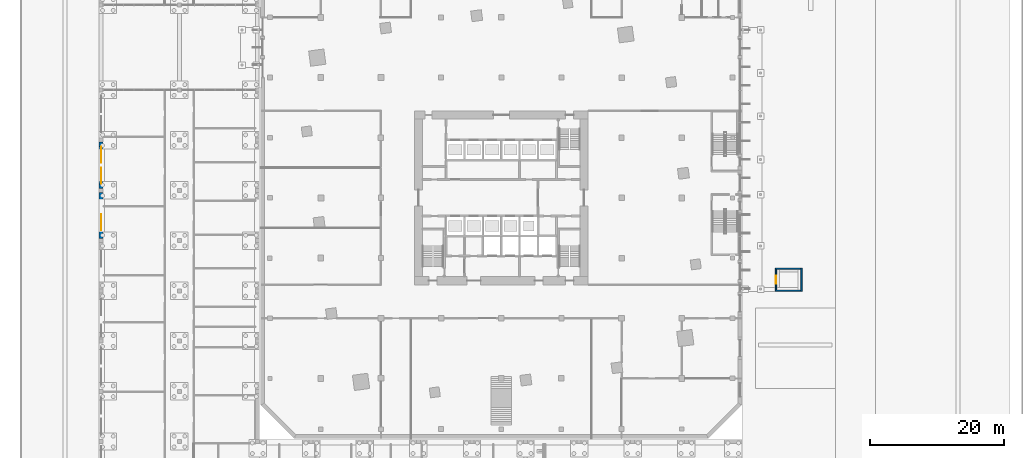
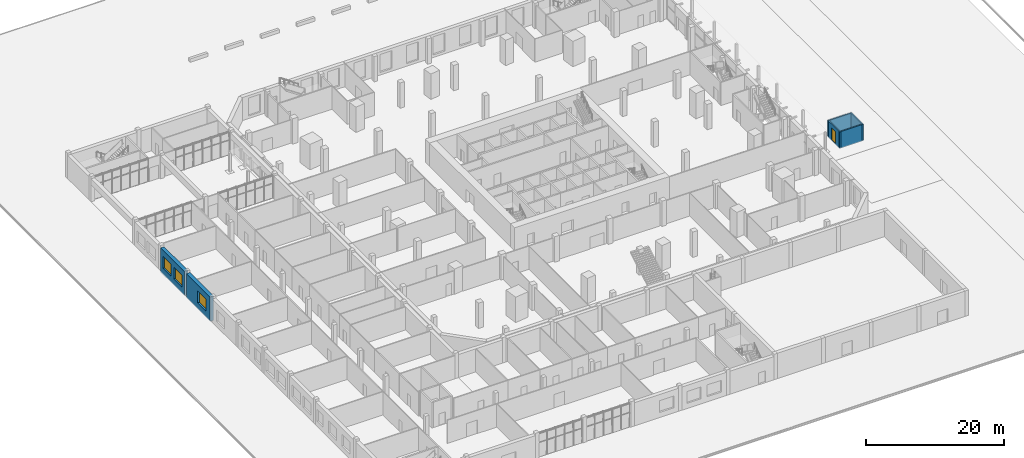
# One storey, part 28 of 42: 6 walls, 3 windows, 1 door, 4 openings.
"""IFC4 building model written with IfcOpenShell, lengths in metres."""

import ifcopenshell
import ifcopenshell.guid

model = None  # the IFC model being written
_history = None  # IfcOwnerHistory: only IFC2X3 demands one
_inside = {}  # id of a spatial element -> (the spatial element, [elements in it])
_under = {}  # id of a project, library or spatial element -> (it, [spatial elements below it])
_declared = {}  # id of a project -> (the project, [libraries it declares])
_typed = {}  # id of a type object -> (the type object, [elements of that type])
_made_of = {}  # id of a material, layer set ... -> (it, [elements and type objects made of it])


def new_model(schema):
    """Start an empty IFC model of exactly this schema.

    Asked for "IFC4X3", IfcOpenShell would pick the latest addendum, in which some entities
    have other attributes; the version numbers below select the first issue.
    IFC2X3 requires an IfcOwnerHistory on every rooted entity: one is made here for all.
    """
    global model, _history
    if schema == "IFC4X3":
        model = ifcopenshell.file(schema_version=(4, 3, 0, 0))
    else:
        model = ifcopenshell.file(schema=schema)
    _inside.clear()
    _under.clear()
    _declared.clear()
    _typed.clear()
    _made_of.clear()
    _history = None
    if model.schema == "IFC2X3":
        org = make("IfcOrganization", Name="unknown")
        user = make(
            "IfcPersonAndOrganization",
            ThePerson=make("IfcPerson", FamilyName="unknown"),
            TheOrganization=org,
        )
        app = make(
            "IfcApplication",
            ApplicationDeveloper=org,
            Version="unknown",
            ApplicationFullName="unknown",
            ApplicationIdentifier="unknown",
        )
        _history = make(
            "IfcOwnerHistory",
            OwningUser=user,
            OwningApplication=app,
            ChangeAction="ADDED",
            CreationDate=0,
        )
    return model


def make(cls, **values):
    """One entity of the class cls with the attributes given. An attribute that is None is left unset."""
    return model.create_entity(
        cls, **{name: value for name, value in values.items() if value is not None}
    )


def rooted(cls, **values):
    """An entity with a GlobalId (a new one), such as an element, a storey or a relation."""
    return make(cls, GlobalId=ifcopenshell.guid.new(), OwnerHistory=_history, **values)


def si_unit(unit_type, name, prefix=None):
    """IfcSIUnit, for example si_unit("LENGTHUNIT", "METRE", prefix="MILLI")."""
    return make("IfcSIUnit", UnitType=unit_type, Prefix=prefix, Name=name)


def assignment(units):
    """IfcUnitAssignment: the units of a project."""
    return None if units is None else make("IfcUnitAssignment", Units=units)


def point(xyz):
    """IfcCartesianPoint."""
    return None if xyz is None else make("IfcCartesianPoint", Coordinates=xyz)


def direction(xyz):
    """IfcDirection."""
    return None if xyz is None else make("IfcDirection", DirectionRatios=xyz)


def frame(location, z_axis=None, x_axis=None):
    """IfcAxis2Placement3D, a coordinate frame: its origin and axes. An axis left out is left unset."""
    return make(
        "IfcAxis2Placement3D",
        Location=point(location),
        Axis=direction(z_axis),
        RefDirection=direction(x_axis),
    )


def frame_2d(location, x_axis=None):
    """IfcAxis2Placement2D, a coordinate frame in the plane: its origin and x axis."""
    return make(
        "IfcAxis2Placement2D", Location=point(location), RefDirection=direction(x_axis)
    )


def origin():
    """The frame at (0, 0, 0) with its axes left unset."""
    return frame((0.0, 0.0, 0.0))


def place(relative_to, where):
    """IfcLocalPlacement: puts the frame where relative to a parent placement (None: the world)."""
    return make(
        "IfcLocalPlacement", PlacementRelTo=relative_to, RelativePlacement=where
    )


def context(
    kind, dimensions, precision=None, world=None, true_north=None, identifier=None
):
    """IfcGeometricRepresentationContext, for example the 3D "Model" context."""
    return make(
        "IfcGeometricRepresentationContext",
        ContextIdentifier=identifier,
        ContextType=kind,
        CoordinateSpaceDimension=dimensions,
        Precision=precision,
        WorldCoordinateSystem=world,
        TrueNorth=true_north,
    )


def subcontext(parent, identifier, kind, view, scale=None):
    """IfcGeometricRepresentationSubContext, for example "Body" below "Model"."""
    return make(
        "IfcGeometricRepresentationSubContext",
        ContextIdentifier=identifier,
        ContextType=kind,
        ParentContext=parent,
        TargetScale=scale,
        TargetView=view,
    )


def project(units=None, contexts=None):
    """IfcProject with its units and contexts."""
    return rooted(
        "IfcProject",
        Name="project",
        RepresentationContexts=contexts,
        UnitsInContext=assignment(units),
    )


def spatial(cls, under=None, at=None, **own):
    """A site, building, storey or space (cls), placed at a placement, below another one or the project."""
    s = rooted(cls, ObjectPlacement=at, **own)
    if under is not None:
        _under.setdefault(under.id(), (under, []))[1].append(s)
    return s


def profile(cls, at=None, kind="AREA", **sizes):
    """A parametric profile (cls). Its sizes go by their IFC names, for example OverallWidth=200.0."""
    return make(cls, ProfileType=kind, Position=at, **sizes)


def rectangle(**sizes):
    """IfcRectangleProfileDef."""
    return profile("IfcRectangleProfileDef", **sizes)


def extrude(swept, where, along, depth):
    """IfcExtrudedAreaSolid: the profile swept, set in the frame where, extruded along a direction by depth."""
    return make(
        "IfcExtrudedAreaSolid",
        SweptArea=swept,
        Position=where,
        ExtrudedDirection=direction(along),
        Depth=depth,
    )


def shape(context_of_items, identifier, shape_type, items):
    """IfcShapeRepresentation: the items that make up one representation, for example the "Body"."""
    return make(
        "IfcShapeRepresentation",
        ContextOfItems=context_of_items,
        RepresentationIdentifier=identifier,
        RepresentationType=shape_type,
        Items=items,
    )


def material(Name=None, Category=None):
    """IfcMaterial."""
    return make("IfcMaterial", Name=Name, Category=Category)


def layer(
    of_material, thickness, ventilated=None, Name=None, Category=None, Priority=None
):
    """IfcMaterialLayer: one layer of a wall or slab, of a material (None: an air gap)."""
    return make(
        "IfcMaterialLayer",
        Material=of_material,
        LayerThickness=thickness,
        IsVentilated=ventilated,
        Name=Name,
        Category=Category,
        Priority=Priority,
    )


def layer_set(layers, Name=None):
    """IfcMaterialLayerSet."""
    return make("IfcMaterialLayerSet", MaterialLayers=layers, LayerSetName=Name)


def made_of(thing, what):
    """Note that an element or type object is made of a material, layer set ...; save() writes the relation."""
    if what is not None:
        _made_of.setdefault(what.id(), (what, []))[1].append(thing)
    return thing


def type_object(cls, material=None, **own):
    """A type object (cls), such as IfcWallType, which elements share."""
    return made_of(rooted(cls, **own), material)


def element(
    cls,
    number,
    at=None,
    inside=None,
    cuts=None,
    type_object=None,
    material=None,
    context=None,
    identifier="Body",
    shape_type=None,
    held_by="IfcProductDefinitionShape",
    body=None,
    shapes=None,
    **own,
):
    """One element of the class cls, such as IfcWall. Its Tag is "e" and its number.

    at: its placement. inside: the storey or other place that contains it. cuts: it is an
    opening in that element (IfcRelVoidsElement). A single representation is given by context,
    identifier, shape_type and body (its items); several are given by shapes. held_by: the class
    of the entity that holds the representations. save() writes the other relations.
    """
    e = rooted(cls, Tag="e%d" % number, ObjectPlacement=at, **own)
    if body is not None:
        shapes = [shape(context, identifier, shape_type, body)]
    if shapes is not None:
        e.Representation = make(held_by, Representations=shapes)
    if inside is not None:
        _inside.setdefault(inside.id(), (inside, []))[1].append(e)
    if cuts is not None:
        rooted(
            "IfcRelVoidsElement", RelatingBuildingElement=cuts, RelatedOpeningElement=e
        )
    if type_object is not None:
        _typed.setdefault(type_object.id(), (type_object, []))[1].append(e)
    return made_of(e, material)


def fill(opening, filler):
    """IfcRelFillsElement: the door or window that sits in an opening."""
    return rooted(
        "IfcRelFillsElement",
        RelatingOpeningElement=opening,
        RelatedBuildingElement=filler,
    )


def aggregate(whole, parts):
    """IfcRelAggregates: a whole, such as a stair, and the parts it consists of."""
    return rooted("IfcRelAggregates", RelatingObject=whole, RelatedObjects=parts)


def save(model, path):
    """Write the relations noted so far, then the file.

    IfcRelAggregates (storeys below a building ...), IfcRelContainedInSpatialStructure (elements
    in a storey), IfcRelDefinesByType, IfcRelAssociatesMaterial and IfcRelDeclares: one each for
    every whole, place, type object, material and project.
    """
    for whole, parts in _under.values():
        aggregate(whole, parts)
    for where, things in _inside.values():
        rooted(
            "IfcRelContainedInSpatialStructure",
            RelatedElements=things,
            RelatingStructure=where,
        )
    for kind, things in _typed.values():
        rooted("IfcRelDefinesByType", RelatedObjects=things, RelatingType=kind)
    for what, things in _made_of.values():
        rooted("IfcRelAssociatesMaterial", RelatedObjects=things, RelatingMaterial=what)
    for by, libraries in _declared.values():
        rooted("IfcRelDeclares", RelatingContext=by, RelatedDefinitions=libraries)
    model.write(path)


model = new_model("IFC4")

# Units and contexts
model_context = context("Model", 3, precision=1e-05, world=origin(), true_north=direction((0.0, 1.0)))
body_context = subcontext(model_context, "Body", "Model", "MODEL_VIEW")
ifc_project = project(units=[si_unit("LENGTHUNIT", "METRE"), si_unit("AREAUNIT", "SQUARE_METRE"), si_unit("VOLUMEUNIT", "CUBIC_METRE"), si_unit("PLANEANGLEUNIT", "RADIAN"), si_unit("MASSUNIT", "GRAM", prefix="KILO")], contexts=[model_context])

# Site, building, storey
site_placement = place(None, origin())
site = spatial("IfcSite", under=ifc_project, at=site_placement, CompositionType="ELEMENT")
building_placement = place(site_placement, origin())
building = spatial("IfcBuilding", under=site, at=building_placement, Name="Dilmun Exchange Tower", CompositionType="ELEMENT")
storey_placement = place(building_placement, origin())
storey = spatial("IfcBuildingStorey", under=building, at=storey_placement, Name="L00", CompositionType="ELEMENT", Elevation=0.0)

# Wall, opening, window
ifc_material_1 = material(Name="Precast concrete C40/50", Category="concrete")
ifc_layer_1 = layer(ifc_material_1, 0.60009765625)
ifc_layer_set_1 = layer_set([ifc_layer_1], Name="Precast concrete C40/50")
wall_type_1 = type_object("IfcWallType", Name="School external wall 600 precast C40/50", PredefinedType="STANDARD", material=ifc_layer_set_1)
wall_1_placement = place(storey_placement, frame((-59.85009765625, -6.093017578125, -0.199951171875), z_axis=(0.0, 0.0, 1.0), x_axis=(0.0, 1.0, 0.0)))
wall_1 = element("IfcWall", 1, at=wall_1_placement, inside=storey, type_object=wall_type_1, Name="School external wall", PredefinedType="STANDARD", context=body_context, shape_type="SweptSolid", body=[
    extrude(rectangle(XDim=6.914306640625, YDim=0.60009765625, at=frame_2d((3.45703125, 0.0))), origin(), (0.0, 0.0, 1.0), 4.300048828125),
])
opening_1_placement = place(wall_1_placement, frame((1.21435546875, 0.0, 1.10009765625)))
opening_1 = element("IfcOpeningElement", 2, at=opening_1_placement, cuts=wall_1, Name="Opening SCH-W24", PredefinedType="OPENING", context=body_context, shape_type="SweptSolid", body=[
    extrude(rectangle(XDim=2.39990234375, YDim=2.10009765625, at=frame_2d((1.199951171875, 1.050048828125))), frame((0.0, 0.31005859375, 0.0), z_axis=(0.0, -1.0, 0.0), x_axis=(1.0, 0.0, 0.0)), (0.0, 0.0, 1.0), 0.6201171875),
])
ifc_material_2 = material(Name="Clear low-emissivity glass in aluminium frame", Category="aluminium")
window_type = type_object("IfcWindowType", Name="School window 2400 x 2100", PartitioningType="DOUBLE_PANEL_VERTICAL", PredefinedType="WINDOW", material=ifc_material_2)
window_1_placement = place(opening_1_placement, origin())
window_1 = element("IfcWindow", 3, at=window_1_placement, inside=storey, type_object=window_type, Name="School window", OverallHeight=2.10009765625, OverallWidth=2.39990234375, PartitioningType="SINGLE_PANEL", PredefinedType="WINDOW", context=body_context, shape_type="SweptSolid", body=[
    extrude(rectangle(XDim=2.39990234375, YDim=2.10009765625, at=frame_2d((1.199951171875, 1.050048828125))), frame((0.0, 0.030029296875, 0.0), z_axis=(0.0, -1.0, 0.0), x_axis=(1.0, 0.0, 0.0)), (0.0, 0.0, 1.0), 0.06005859375),
])
fill(opening_1, window_1)

# Wall, openings, windows
wall_2_placement = place(storey_placement, frame((-59.85009765625, 1.42138671875, -0.199951171875), z_axis=(0.0, 0.0, 1.0), x_axis=(0.0, 1.0, 0.0)))
wall_2 = element("IfcWall", 4, at=wall_2_placement, inside=storey, type_object=wall_type_1, Name="School external wall", PredefinedType="STANDARD", context=body_context, shape_type="SweptSolid", body=[
    extrude(rectangle(XDim=6.914306640625, YDim=0.60009765625, at=frame_2d((3.45703125, 0.0))), origin(), (0.0, 0.0, 1.0), 4.300048828125),
])
opening_2_placement = place(wall_2_placement, frame((0.6787109375, 0.0, 1.10009765625)))
opening_2 = element("IfcOpeningElement", 5, at=opening_2_placement, cuts=wall_2, Name="Opening SCH-W24", PredefinedType="OPENING", context=body_context, shape_type="SweptSolid", body=[
    extrude(rectangle(XDim=2.39990234375, YDim=2.10009765625, at=frame_2d((1.199951171875, 1.050048828125))), frame((0.0, 0.31005859375, 0.0), z_axis=(0.0, -1.0, 0.0), x_axis=(1.0, 0.0, 0.0)), (0.0, 0.0, 1.0), 0.6201171875),
])
opening_3_placement = place(wall_2_placement, frame((3.835693359375, 0.0, 1.10009765625)))
opening_3 = element("IfcOpeningElement", 6, at=opening_3_placement, cuts=wall_2, Name="Opening SCH-W24", PredefinedType="OPENING", context=body_context, shape_type="SweptSolid", body=[
    extrude(rectangle(XDim=2.39990234375, YDim=2.10009765625, at=frame_2d((1.199951171875, 1.050048828125))), frame((0.0, 0.31005859375, 0.0), z_axis=(0.0, -1.0, 0.0), x_axis=(1.0, 0.0, 0.0)), (0.0, 0.0, 1.0), 0.6201171875),
])
window_2_placement = place(opening_2_placement, origin())
window_2 = element("IfcWindow", 7, at=window_2_placement, inside=storey, type_object=window_type, Name="School window", OverallHeight=2.10009765625, OverallWidth=2.39990234375, PartitioningType="SINGLE_PANEL", PredefinedType="WINDOW", context=body_context, shape_type="SweptSolid", body=[
    extrude(rectangle(XDim=2.39990234375, YDim=2.10009765625, at=frame_2d((1.199951171875, 1.050048828125))), frame((0.0, 0.030029296875, 0.0), z_axis=(0.0, -1.0, 0.0), x_axis=(1.0, 0.0, 0.0)), (0.0, 0.0, 1.0), 0.06005859375),
])
fill(opening_2, window_2)
window_3_placement = place(opening_3_placement, origin())
window_3 = element("IfcWindow", 8, at=window_3_placement, inside=storey, type_object=window_type, Name="School window", OverallHeight=2.10009765625, OverallWidth=2.39990234375, PartitioningType="SINGLE_PANEL", PredefinedType="WINDOW", context=body_context, shape_type="SweptSolid", body=[
    extrude(rectangle(XDim=2.39990234375, YDim=2.10009765625, at=frame_2d((1.199951171875, 1.050048828125))), frame((0.0, 0.030029296875, 0.0), z_axis=(0.0, -1.0, 0.0), x_axis=(1.0, 0.0, 0.0)), (0.0, 0.0, 1.0), 0.06005859375),
])
fill(opening_3, window_3)

# Wall, opening, door
ifc_material_3 = material(Name="Concrete C32/40", Category="concrete")
ifc_layer_2 = layer(ifc_material_3, 0.199951171875)
ifc_layer_set_2 = layer_set([ifc_layer_2], Name="Concrete C32/40")
wall_type_2 = type_object("IfcWallType", Name="Store wall 200 concrete C32/40", PredefinedType="SOLIDWALL", material=ifc_layer_set_2)
wall_3_placement = place(storey_placement, frame((41.10009765625, -14.0, -0.14990234375), z_axis=(0.0, 0.0, 1.0), x_axis=(0.0, 1.0, 0.0)))
wall_3 = element("IfcWall", 9, at=wall_3_placement, inside=storey, type_object=wall_type_2, Name="Refuse store wall", PredefinedType="SOLIDWALL", context=body_context, shape_type="SweptSolid", body=[
    extrude(rectangle(XDim=3.5, YDim=0.199951171875, at=frame_2d((1.75, 0.0))), origin(), (0.0, 0.0, 1.0), 2.949951171875),
])
opening_4_placement = place(wall_3_placement, frame((1.14990234375, 0.0, 0.14990234375)))
opening_4 = element("IfcOpeningElement", 10, at=opening_4_placement, cuts=wall_3, Name="Opening SIT-D1", PredefinedType="OPENING", context=body_context, shape_type="SweptSolid", body=[
    extrude(rectangle(XDim=1.199951171875, YDim=2.10009765625, at=frame_2d((0.60009765625, 1.050048828125))), frame((0.0, 0.10986328125, 0.0), z_axis=(0.0, -1.0, 0.0), x_axis=(1.0, 0.0, 0.0)), (0.0, 0.0, 1.0), 0.219970703125),
])
ifc_material_4 = material(Name="Galvanised steel", Category="steel")
door_type = type_object("IfcDoorType", Name="Store service door 1200 x 2100", OperationType="NOTDEFINED", PredefinedType="DOOR", material=ifc_material_4)
door_placement = place(opening_4_placement, origin())
door = element("IfcDoor", 11, at=door_placement, inside=storey, type_object=door_type, Name="Refuse store service door", OperationType="SINGLE_SWING_LEFT", OverallHeight=2.10009765625, OverallWidth=1.199951171875, PredefinedType="DOOR", context=body_context, shape_type="SweptSolid", body=[
    extrude(rectangle(XDim=1.199951171875, YDim=2.10009765625, at=frame_2d((0.60009765625, 1.050048828125))), frame((0.0, 0.02490234375, 0.0), z_axis=(0.0, -1.0, 0.0), x_axis=(1.0, 0.0, 0.0)), (0.0, 0.0, 1.0), 0.050048828125),
])
fill(opening_4, door)

# Walls
wall_4_placement = place(storey_placement, frame((41.0, -10.60009765625, -0.14990234375), z_axis=(0.0, 0.0, 1.0), x_axis=(1.0, 0.0, 0.0)))
element("IfcWall", 12, at=wall_4_placement, inside=storey, type_object=wall_type_2, Name="Refuse store wall", PredefinedType="SOLIDWALL", context=body_context, shape_type="SweptSolid", body=[
    extrude(rectangle(XDim=4.0, YDim=0.199951171875, at=frame_2d((2.0, 0.0))), origin(), (0.0, 0.0, 1.0), 2.949951171875),
])
wall_5_placement = place(storey_placement, frame((44.89990234375, -10.5, -0.14990234375), z_axis=(0.0, 0.0, 1.0), x_axis=(0.0, -1.0, 0.0)))
element("IfcWall", 13, at=wall_5_placement, inside=storey, type_object=wall_type_2, Name="Refuse store wall", PredefinedType="SOLIDWALL", context=body_context, shape_type="SweptSolid", body=[
    extrude(rectangle(XDim=3.5, YDim=0.199951171875, at=frame_2d((1.75, 0.0))), origin(), (0.0, 0.0, 1.0), 2.949951171875),
])
wall_6_placement = place(storey_placement, frame((45.0, -13.89990234375, -0.14990234375), z_axis=(0.0, 0.0, 1.0), x_axis=(-1.0, 0.0, 0.0)))
element("IfcWall", 14, at=wall_6_placement, inside=storey, type_object=wall_type_2, Name="Refuse store wall", PredefinedType="SOLIDWALL", context=body_context, shape_type="SweptSolid", body=[
    extrude(rectangle(XDim=4.0, YDim=0.199951171875, at=frame_2d((2.0, 0.0))), origin(), (0.0, 0.0, 1.0), 2.949951171875),
])

save(model, "model.ifc")
